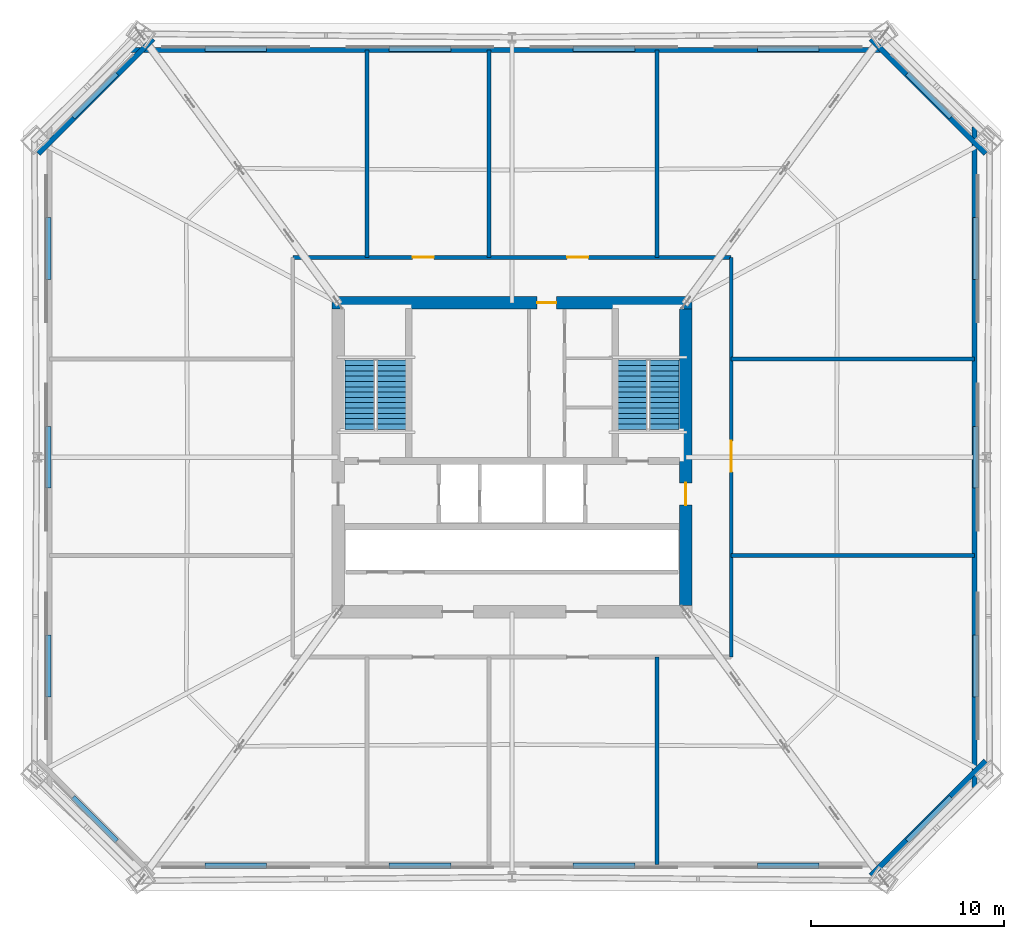
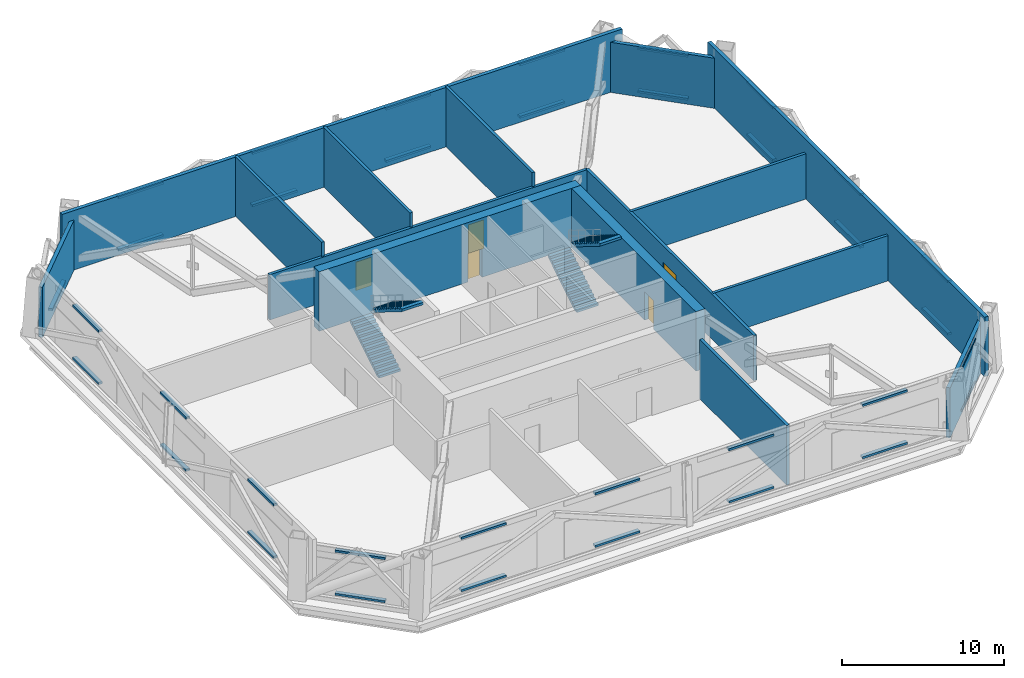
# One storey, part 12 of 14: 36 discrete accessories, 15 walls, 5 doors, 4 stair flights, 5 openings, 2 elements without a shape of their own.
"""IFC4 building model written with IfcOpenShell, lengths in metres."""

from ifc_helpers import new_model, si_unit, direction, frame, frame_2d, origin, origin_2d, place, context, subcontext, project, spatial, polyline, rectangle, outline, extrude, material, layer, layer_set, type_object, element, fill, aggregate, save


model = new_model("IFC4")

# Units and contexts
model_context = context("Model", 3, precision=1e-05, world=origin(), true_north=direction((0.0, 1.0)))
body_context = subcontext(model_context, "Body", "Model", "MODEL_VIEW")
ifc_project = project(units=[si_unit("LENGTHUNIT", "METRE"), si_unit("AREAUNIT", "SQUARE_METRE"), si_unit("VOLUMEUNIT", "CUBIC_METRE"), si_unit("PLANEANGLEUNIT", "RADIAN"), si_unit("MASSUNIT", "GRAM", prefix="KILO")], contexts=[model_context])

# Site, building, storey
site_placement = place(None, origin())
site = spatial("IfcSite", under=ifc_project, at=site_placement, CompositionType="ELEMENT")
building_placement = place(site_placement, origin())
building = spatial("IfcBuilding", under=site, at=building_placement, Name="Caelvoria Tower", CompositionType="ELEMENT")
storey_placement = place(building_placement, frame((0.0, 0.0, 85.60009765625)))
storey = spatial("IfcBuildingStorey", under=building, at=storey_placement, Name="L22", CompositionType="ELEMENT", Elevation=85.60009765625)

# Walls
ifc_material_1 = material(Name="Concrete Block and Fireboard Assembly", Category="concrete")
ifc_layer_1 = layer(ifc_material_1, 0.199951171875, Name="Concrete Block and Fireboard Assembly")
ifc_layer_set_1 = layer_set([ifc_layer_1], Name="Fire-Rated Shaft and Core Partition Wall 200 - Concrete Block and Fireboard Assembly")
wall_type_1 = type_object("IfcWallType", Name="Fire-Rated Shaft and Core Partition Wall 200", PredefinedType="PARTITIONING", material=ifc_layer_set_1)
for number, where, z_axis, x_axis, name in (
    (1, (44.800048828125, 42.35009765625, 0.0), (0.0, 0.0, 1.0), (0.0, 1.0, 0.0), "Interior Partition IW-L22-PLT-NM"),
    (2, (38.5, 42.35009765625, 0.0), (0.0, 0.0, 1.0), (0.0, 1.0, 0.0), "Interior Partition IW-L22-OCH-SWN"),
    (3, (53.5, 10.913330078125, 0.0), (0.0, 0.0, 1.0), (0.0, 1.0, 0.0), "Interior Partition IW-L22-OCH-SES"),
    (4, (53.5, 42.35009765625, 0.0), (0.0, 0.0, 1.0), (0.0, 1.0, 0.0), "Interior Partition IW-L22-OCH-SEN"),
):
    element("IfcWall", number, at=place(storey_placement, frame(where, z_axis=z_axis, x_axis=x_axis)), inside=storey, type_object=wall_type_1, Name=name, PredefinedType="PARTITIONING", context=body_context, shape_type="SweptSolid", body=[
        extrude(rectangle(XDim=10.736572265625, YDim=0.199951171875, at=frame_2d((5.3681640625, 0.0))), origin(), (0.0, 0.0, 1.0), 4.47998046875),
    ])

# Wall, openings, doors
wall_1_placement = place(storey_placement, frame((34.64990234375, 42.35009765625, 0.0), z_axis=(0.0, 0.0, 1.0), x_axis=(1.0, 0.0, 0.0)))
wall_1 = element("IfcWall", 5, at=wall_1_placement, inside=storey, type_object=wall_type_1, Name="Interior Partition IW-L22-CRN", PredefinedType="PARTITIONING", context=body_context, shape_type="SweptSolid", body=[
    extrude(rectangle(XDim=22.7001953125, YDim=0.199951171875, at=frame_2d((11.35009765625, 0.0))), origin(), (0.0, 0.0, 1.0), 3.409912109375),
])
opening_1_placement = place(wall_1_placement, frame((6.199951171875, 0.0, 0.0)))
opening_1 = element("IfcOpeningElement", 6, at=opening_1_placement, cuts=wall_1, Name="Opening ID-01", PredefinedType="OPENING", context=body_context, shape_type="SweptSolid", body=[
    extrude(rectangle(XDim=1.10009765625, YDim=2.14990234375, at=frame_2d((0.550048828125, 1.074951171875))), frame((0.0, 0.10986328125, 0.0), z_axis=(0.0, -1.0, 0.0), x_axis=(1.0, 0.0, 0.0)), (0.0, 0.0, 1.0), 0.219970703125),
])
opening_2_placement = place(wall_1_placement, frame((14.199951171875, 0.0, 0.0)))
opening_2 = element("IfcOpeningElement", 7, at=opening_2_placement, cuts=wall_1, Name="Opening ID-01", PredefinedType="OPENING", context=body_context, shape_type="SweptSolid", body=[
    extrude(rectangle(XDim=1.10009765625, YDim=2.14990234375, at=frame_2d((0.550048828125, 1.074951171875))), frame((0.0, 0.10986328125, 0.0), z_axis=(0.0, -1.0, 0.0), x_axis=(1.0, 0.0, 0.0)), (0.0, 0.0, 1.0), 0.219970703125),
])
ifc_material_2 = material(Name="Painted Hollow Steel Fire Door", Category="steel")
door_type_1 = type_object("IfcDoorType", Name="Fire Door FD90S 1100x2150", OperationType="NOTDEFINED", PredefinedType="DOOR", material=ifc_material_2)
door_1_placement = place(opening_1_placement, origin())
door_1 = element("IfcDoor", 8, at=door_1_placement, inside=storey, type_object=door_type_1, Name="Interior Door DR-L22-PLTN1", OperationType="SINGLE_SWING_RIGHT", OverallHeight=2.14990234375, OverallWidth=1.10009765625, PredefinedType="DOOR", context=body_context, shape_type="SweptSolid", body=[
    extrude(rectangle(XDim=1.10009765625, YDim=2.14990234375, at=frame_2d((0.550048828125, 1.074951171875))), frame((0.0, 0.02490234375, 0.0), z_axis=(0.0, -1.0, 0.0), x_axis=(1.0, 0.0, 0.0)), (0.0, 0.0, 1.0), 0.050048828125),
])
fill(opening_1, door_1)
door_2_placement = place(opening_2_placement, origin())
door_2 = element("IfcDoor", 9, at=door_2_placement, inside=storey, type_object=door_type_1, Name="Interior Door DR-L22-PLTN2", OperationType="SINGLE_SWING_LEFT", OverallHeight=2.14990234375, OverallWidth=1.10009765625, PredefinedType="DOOR", context=body_context, shape_type="SweptSolid", body=[
    extrude(rectangle(XDim=1.10009765625, YDim=2.14990234375, at=frame_2d((0.550048828125, 1.074951171875))), frame((0.0, 0.02490234375, 0.0), z_axis=(0.0, -1.0, 0.0), x_axis=(1.0, 0.0, 0.0)), (0.0, 0.0, 1.0), 0.050048828125),
])
fill(opening_2, door_2)

# Wall, opening, door
wall_2_placement = place(storey_placement, frame((57.35009765625, 21.64990234375, 0.0), z_axis=(0.0, 0.0, 1.0), x_axis=(0.0, 1.0, 0.0)))
wall_2 = element("IfcWall", 10, at=wall_2_placement, inside=storey, type_object=wall_type_1, Name="Interior Partition IW-L22-CRE", PredefinedType="PARTITIONING", context=body_context, shape_type="SweptSolid", body=[
    extrude(rectangle(XDim=20.7001953125, YDim=0.199951171875, at=frame_2d((10.35009765625, 0.0))), origin(), (0.0, 0.0, 1.0), 3.409912109375),
])
opening_3_placement = place(wall_2_placement, frame((9.60009765625, 0.0, 0.0)))
opening_3 = element("IfcOpeningElement", 11, at=opening_3_placement, cuts=wall_2, Name="Opening ID-08", PredefinedType="OPENING", context=body_context, shape_type="SweptSolid", body=[
    extrude(rectangle(XDim=1.60009765625, YDim=2.14990234375, at=frame_2d((0.800048828125, 1.074951171875))), frame((0.0, 0.10986328125, 0.0), z_axis=(0.0, -1.0, 0.0), x_axis=(1.0, 0.0, 0.0)), (0.0, 0.0, 1.0), 0.219970703125),
])
ifc_material_3 = material(Name="Bronze-Framed Fire-Rated Glazed Double Door", Category="aluminium")
door_type_2 = type_object("IfcDoorType", Name="Double Lobby Glazed Door 1600x2200", OperationType="NOTDEFINED", PredefinedType="DOOR", material=ifc_material_3)
door_3_placement = place(opening_3_placement, origin())
door_3 = element("IfcDoor", 12, at=door_3_placement, inside=storey, type_object=door_type_2, Name="Interior Door DR-L22-REFE", OperationType="DOUBLE_DOOR_SINGLE_SWING", OverallHeight=2.14990234375, OverallWidth=1.60009765625, PredefinedType="DOOR", context=body_context, shape_type="SweptSolid", body=[
    extrude(rectangle(XDim=1.60009765625, YDim=2.14990234375, at=frame_2d((0.800048828125, 1.074951171875))), frame((0.0, 0.02490234375, 0.0), z_axis=(0.0, -1.0, 0.0), x_axis=(1.0, 0.0, 0.0)), (0.0, 0.0, 1.0), 0.050048828125),
])
fill(opening_3, door_3)

# Walls
for number, where, z_axis, x_axis, name in (
    (13, (57.35009765625, 26.919921875, 0.0), (0.0, 0.0, 1.0), (1.0, 0.0, 0.0), "Interior Partition IW-L22-RSEP-ES"),
    (14, (57.35009765625, 37.080078125, 0.0), (0.0, 0.0, 1.0), (1.0, 0.0, 0.0), "Interior Partition IW-L22-RSEP-EN"),
):
    element("IfcWall", number, at=place(storey_placement, frame(where, z_axis=z_axis, x_axis=x_axis)), inside=storey, type_object=wall_type_1, Name=name, PredefinedType="PARTITIONING", context=body_context, shape_type="SweptSolid", body=[
        extrude(rectangle(XDim=12.603271484375, YDim=0.199951171875, at=frame_2d((6.3017578125, 0.0))), origin(), (0.0, 0.0, 1.0), 3.409912109375),
    ])

# Wall, opening, door
ifc_material_4 = material(Name="Concrete C60/75", Category="concrete")
ifc_layer_2 = layer(ifc_material_4, 0.64990234375, Name="Concrete C60/75")
ifc_layer_set_2 = layer_set([ifc_layer_2], Name="Lower Core Shear Wall 650 - Concrete C60/75")
wall_type_2 = type_object("IfcWallType", Name="Lower Core Shear Wall 650", PredefinedType="SHEAR", material=ifc_layer_set_2)
wall_3_placement = place(storey_placement, frame((36.675048828125, 40.0, 0.0), z_axis=(0.0, 0.0, 1.0), x_axis=(1.0, 0.0, 0.0)))
wall_3 = element("IfcWall", 15, at=wall_3_placement, inside=storey, type_object=wall_type_2, Name="Core Shear Wall L22 N", PredefinedType="SHEAR", context=body_context, shape_type="SweptSolid", body=[
    extrude(rectangle(XDim=18.64990234375, YDim=0.64990234375, at=frame_2d((9.324951171875, 0.0))), origin(), (0.0, 0.0, 1.0), 4.47998046875),
])
opening_4_placement = place(wall_3_placement, frame((10.625, 0.0, 0.0)))
opening_4 = element("IfcOpeningElement", 16, at=opening_4_placement, cuts=wall_3, Name="Opening ID-03", PredefinedType="OPENING", context=body_context, shape_type="SweptSolid", body=[
    extrude(rectangle(XDim=1.0, YDim=2.14990234375, at=frame_2d((0.5, 1.074951171875))), frame((0.0, 0.3349609375, 0.0), z_axis=(0.0, -1.0, 0.0), x_axis=(1.0, 0.0, 0.0)), (0.0, 0.0, 1.0), 0.669921875),
])
door_type_3 = type_object("IfcDoorType", Name="Fire Door FD60S 1000x2150", OperationType="NOTDEFINED", PredefinedType="DOOR", material=ifc_material_2)
door_4_placement = place(opening_4_placement, origin())
door_4 = element("IfcDoor", 17, at=door_4_placement, inside=storey, type_object=door_type_3, Name="Core Door DR-L22-WC-MAIN", OperationType="SINGLE_SWING_RIGHT", OverallHeight=2.14990234375, OverallWidth=1.0, PredefinedType="DOOR", context=body_context, shape_type="SweptSolid", body=[
    extrude(rectangle(XDim=1.0, YDim=2.14990234375, at=frame_2d((0.5, 1.074951171875))), frame((0.0, 0.02490234375, 0.0), z_axis=(0.0, -1.0, 0.0), x_axis=(1.0, 0.0, 0.0)), (0.0, 0.0, 1.0), 0.050048828125),
])
fill(opening_4, door_4)

wall_4_placement = place(storey_placement, frame((55.0, 24.324951171875, 0.0), z_axis=(0.0, 0.0, 1.0), x_axis=(0.0, 1.0, 0.0)))
wall_4 = element("IfcWall", 18, at=wall_4_placement, inside=storey, type_object=wall_type_2, Name="Core Shear Wall L22 E", PredefinedType="SHEAR", context=body_context, shape_type="SweptSolid", body=[
    extrude(rectangle(XDim=15.35009765625, YDim=0.64990234375, at=frame_2d((7.675048828125, 0.0))), origin(), (0.0, 0.0, 1.0), 4.47998046875),
])
opening_5_placement = place(wall_4_placement, frame((5.199951171875, 0.0, 0.0)))
opening_5 = element("IfcOpeningElement", 19, at=opening_5_placement, cuts=wall_4, Name="Opening ID-02", PredefinedType="OPENING", context=body_context, shape_type="SweptSolid", body=[
    extrude(rectangle(XDim=1.14990234375, YDim=2.14990234375, at=frame_2d((0.574951171875, 1.074951171875))), frame((0.0, 0.3349609375, 0.0), z_axis=(0.0, -1.0, 0.0), x_axis=(1.0, 0.0, 0.0)), (0.0, 0.0, 1.0), 0.669921875),
])
door_type_4 = type_object("IfcDoorType", Name="Fire Door FD60S 1150x2150", OperationType="NOTDEFINED", PredefinedType="DOOR", material=ifc_material_2)
door_5_placement = place(opening_5_placement, origin())
door_5 = element("IfcDoor", 20, at=door_5_placement, inside=storey, type_object=door_type_4, Name="Core Door DR-L22-FFLE-OUT", OperationType="SINGLE_SWING_RIGHT", OverallHeight=2.14990234375, OverallWidth=1.14990234375, PredefinedType="DOOR", context=body_context, shape_type="SweptSolid", body=[
    extrude(rectangle(XDim=1.14990234375, YDim=2.14990234375, at=frame_2d((0.574951171875, 1.074951171875))), frame((0.0, 0.02490234375, 0.0), z_axis=(0.0, -1.0, 0.0), x_axis=(1.0, 0.0, 0.0)), (0.0, 0.0, 1.0), 0.050048828125),
])
fill(opening_5, door_5)

# Walls
ifc_material_5 = material(Name="Precast Concrete C40/50", Category="concrete")
ifc_layer_3 = layer(ifc_material_5, 0.260009765625, Name="Precast Concrete C40/50")
ifc_layer_set_3 = layer_set([ifc_layer_3], Name="Plant Room Acoustic Louvred Facade Wall 260 - Precast Concrete C40/50")
wall_type_3 = type_object("IfcWallType", Name="Plant Room Acoustic Louvred Facade Wall 260", PredefinedType="STANDARD", material=ifc_layer_set_3)
wall_5_placement = place(storey_placement, frame((64.587890625, 10.33935546875, 0.0), z_axis=(0.0, 0.0, 1.0), x_axis=(0.707092247962, 0.707121314113, 0.0)))
element("IfcWall", 21, at=wall_5_placement, inside=storey, type_object=wall_type_3, Name="Exterior Facade Wall L22-E1", PredefinedType="STANDARD", context=body_context, shape_type="SweptSolid", body=[
    extrude(rectangle(XDim=8.3994140625, YDim=0.260009765625, at=frame_2d((4.19970703125, 0.0))), origin(), (0.0, 0.0, 1.0), 3.781982421875),
])
wall_6_placement = place(storey_placement, frame((69.953369140625, 14.893310546875, 0.0), z_axis=(0.0, 0.0, 1.0), x_axis=(0.0, 1.0, 0.0)))
element("IfcWall", 22, at=wall_6_placement, inside=storey, type_object=wall_type_3, Name="Exterior Facade Wall L22-E2", PredefinedType="STANDARD", context=body_context, shape_type="SweptSolid", body=[
    extrude(rectangle(XDim=34.21337890625, YDim=0.260009765625, at=frame_2d((17.106689453125, 0.0))), origin(), (0.0, 0.0, 1.0), 4.47998046875),
])
wall_7_placement = place(storey_placement, frame((70.527099609375, 47.72119140625, 0.0), z_axis=(0.0, 0.0, 1.0), x_axis=(-0.707092247962, 0.707121314113, 0.0)))
element("IfcWall", 23, at=wall_7_placement, inside=storey, type_object=wall_type_3, Name="Exterior Facade Wall L22-E3", PredefinedType="STANDARD", context=body_context, shape_type="SweptSolid", body=[
    extrude(rectangle(XDim=8.3994140625, YDim=0.260009765625, at=frame_2d((4.19970703125, 0.0))), origin(), (0.0, 0.0, 1.0), 3.781982421875),
])
wall_8_placement = place(storey_placement, frame((65.973388671875, 53.086669921875, 0.0), z_axis=(0.0, 0.0, 1.0), x_axis=(-1.0, 0.0, 0.0)))
element("IfcWall", 24, at=wall_8_placement, inside=storey, type_object=wall_type_3, Name="Exterior Facade Wall L22-E4", PredefinedType="STANDARD", context=body_context, shape_type="SweptSolid", body=[
    extrude(rectangle(XDim=39.94677734375, YDim=0.260009765625, at=frame_2d((19.973388671875, 0.0))), origin(), (0.0, 0.0, 1.0), 4.47998046875),
])
wall_9_placement = place(storey_placement, frame((27.412109375, 53.66064453125, 0.0), z_axis=(0.0, 0.0, 1.0), x_axis=(-0.707092247962, -0.707121314113, 0.0)))
element("IfcWall", 25, at=wall_9_placement, inside=storey, type_object=wall_type_3, Name="Exterior Facade Wall L22-E5", PredefinedType="STANDARD", context=body_context, shape_type="SweptSolid", body=[
    extrude(rectangle(XDim=8.3994140625, YDim=0.260009765625, at=frame_2d((4.19970703125, 0.0))), origin(), (0.0, 0.0, 1.0), 3.781982421875),
])

# Stair, stair flights
ifc_material_6 = material(Name="Concrete C40/50", Category="concrete")
stair_type = type_object("IfcStairType", Name="Core Smokeproof Dogleg Stair Concrete C40/50", PredefinedType="HALF_TURN_STAIR", material=ifc_material_6)
stair_1_placement = place(storey_placement, origin())
stair_1 = element("IfcStair", 26, at=stair_1_placement, inside=storey, type_object=stair_type, Name="ST-01 Smokeproof Exit Stair L22", PredefinedType="HALF_TURN_STAIR")
stair_flight_type = type_object("IfcStairFlightType", Name="Precast Concrete C40/50 Stair Flight 1480", PredefinedType="STRAIGHT", material=ifc_material_5)
stair_flight_1_placement = place(storey_placement, frame((38.1298828125, 33.449951171875, 0.0), z_axis=(0.0, 0.0, 1.0), x_axis=(0.0, 1.0, 0.0)))
stair_flight_1 = element("IfcStairFlight", 27, at=stair_flight_1_placement, type_object=stair_flight_type, Name="ST-01 flight 1", NumberOfRisers=14, NumberOfTreads=13, PredefinedType="STRAIGHT", RiserHeight=0.1714, TreadLength=0.275, context=body_context, shape_type="SweptSolid", body=[
    extrude(outline(polyline([(0.0, 0.0), (0.0, 0.17138671875), (0.27490234375, 0.17138671875), (0.27490234375, 0.3427734375), (0.550048828125, 0.3427734375), (0.550048828125, 0.51416015625), (0.824951171875, 0.51416015625), (0.824951171875, 0.685546875), (1.10009765625, 0.685546875), (1.10009765625, 0.85693359375), (1.375, 0.85693359375), (1.375, 1.0283203125), (1.64990234375, 1.0283203125), (1.64990234375, 1.19970703125), (1.925048828125, 1.19970703125), (1.925048828125, 1.37109375), (2.199951171875, 1.37109375), (2.199951171875, 1.54248046875), (2.47509765625, 1.54248046875), (2.47509765625, 1.714111328125), (2.75, 1.714111328125), (2.75, 1.885498046875), (3.02490234375, 1.885498046875), (3.02490234375, 2.056884765625), (3.300048828125, 2.056884765625), (3.300048828125, 2.228271484375), (3.574951171875, 2.228271484375), (3.574951171875, 2.399658203125), (3.574951171875, 2.039794921875), (0.30224609375, 0.0), (0.0, 0.0)])), frame((0.0, 0.77001953125, 0.0), z_axis=(0.0, -1.0, 0.0), x_axis=(1.0, 0.0, 0.0)), (0.0, 0.0, 1.0), 1.5400390625),
])
stair_flight_2_placement = place(storey_placement, frame((39.77001953125, 37.02490234375, 2.39990234375), z_axis=(0.0, 0.0, 1.0), x_axis=(0.0, -1.0, 0.0)))
stair_flight_2 = element("IfcStairFlight", 28, at=stair_flight_2_placement, type_object=stair_flight_type, Name="ST-01 flight 2", NumberOfRisers=14, NumberOfTreads=13, PredefinedType="STRAIGHT", RiserHeight=0.1714, TreadLength=0.275, context=body_context, shape_type="SweptSolid", body=[
    extrude(outline(polyline([(0.0, 0.0), (0.0, 0.17138671875), (0.27490234375, 0.17138671875), (0.27490234375, 0.3427734375), (0.550048828125, 0.3427734375), (0.550048828125, 0.51416015625), (0.824951171875, 0.51416015625), (0.824951171875, 0.685546875), (1.10009765625, 0.685546875), (1.10009765625, 0.85693359375), (1.375, 0.85693359375), (1.375, 1.0283203125), (1.64990234375, 1.0283203125), (1.64990234375, 1.19970703125), (1.925048828125, 1.19970703125), (1.925048828125, 1.37109375), (2.199951171875, 1.37109375), (2.199951171875, 1.54248046875), (2.47509765625, 1.54248046875), (2.47509765625, 1.714111328125), (2.75, 1.714111328125), (2.75, 1.885498046875), (3.02490234375, 1.885498046875), (3.02490234375, 2.056884765625), (3.300048828125, 2.056884765625), (3.300048828125, 2.228271484375), (3.574951171875, 2.228271484375), (3.574951171875, 2.399658203125), (3.574951171875, 2.039794921875), (0.30224609375, 0.0), (0.0, 0.0)])), frame((0.0, 0.77001953125, 0.0), z_axis=(0.0, -1.0, 0.0), x_axis=(1.0, 0.0, 0.0)), (0.0, 0.0, 1.0), 1.5400390625),
])
aggregate(stair_1, [stair_flight_1, stair_flight_2])

stair_2_placement = place(storey_placement, origin())
stair_2 = element("IfcStair", 29, at=stair_2_placement, inside=storey, type_object=stair_type, Name="ST-02 Smokeproof Exit Stair L22", PredefinedType="HALF_TURN_STAIR")
stair_flight_3_placement = place(storey_placement, frame((52.22998046875, 33.449951171875, 0.0), z_axis=(0.0, 0.0, 1.0), x_axis=(0.0, 1.0, 0.0)))
stair_flight_3 = element("IfcStairFlight", 30, at=stair_flight_3_placement, type_object=stair_flight_type, Name="ST-02 flight 1", NumberOfRisers=14, NumberOfTreads=13, PredefinedType="STRAIGHT", RiserHeight=0.1714, TreadLength=0.275, context=body_context, shape_type="SweptSolid", body=[
    extrude(outline(polyline([(0.0, 0.0), (0.0, 0.17138671875), (0.27490234375, 0.17138671875), (0.27490234375, 0.3427734375), (0.550048828125, 0.3427734375), (0.550048828125, 0.51416015625), (0.824951171875, 0.51416015625), (0.824951171875, 0.685546875), (1.10009765625, 0.685546875), (1.10009765625, 0.85693359375), (1.375, 0.85693359375), (1.375, 1.0283203125), (1.64990234375, 1.0283203125), (1.64990234375, 1.19970703125), (1.925048828125, 1.19970703125), (1.925048828125, 1.37109375), (2.199951171875, 1.37109375), (2.199951171875, 1.54248046875), (2.47509765625, 1.54248046875), (2.47509765625, 1.714111328125), (2.75, 1.714111328125), (2.75, 1.885498046875), (3.02490234375, 1.885498046875), (3.02490234375, 2.056884765625), (3.300048828125, 2.056884765625), (3.300048828125, 2.228271484375), (3.574951171875, 2.228271484375), (3.574951171875, 2.399658203125), (3.574951171875, 2.039794921875), (0.30224609375, 0.0), (0.0, 0.0)])), frame((0.0, 0.77001953125, 0.0), z_axis=(0.0, -1.0, 0.0), x_axis=(1.0, 0.0, 0.0)), (0.0, 0.0, 1.0), 1.5400390625),
])
stair_flight_4_placement = place(storey_placement, frame((53.8701171875, 37.02490234375, 2.39990234375), z_axis=(0.0, 0.0, 1.0), x_axis=(0.0, -1.0, 0.0)))
stair_flight_4 = element("IfcStairFlight", 31, at=stair_flight_4_placement, type_object=stair_flight_type, Name="ST-02 flight 2", NumberOfRisers=14, NumberOfTreads=13, PredefinedType="STRAIGHT", RiserHeight=0.1714, TreadLength=0.275, context=body_context, shape_type="SweptSolid", body=[
    extrude(outline(polyline([(0.0, 0.0), (0.0, 0.17138671875), (0.27490234375, 0.17138671875), (0.27490234375, 0.3427734375), (0.550048828125, 0.3427734375), (0.550048828125, 0.51416015625), (0.824951171875, 0.51416015625), (0.824951171875, 0.685546875), (1.10009765625, 0.685546875), (1.10009765625, 0.85693359375), (1.375, 0.85693359375), (1.375, 1.0283203125), (1.64990234375, 1.0283203125), (1.64990234375, 1.19970703125), (1.925048828125, 1.19970703125), (1.925048828125, 1.37109375), (2.199951171875, 1.37109375), (2.199951171875, 1.54248046875), (2.47509765625, 1.54248046875), (2.47509765625, 1.714111328125), (2.75, 1.714111328125), (2.75, 1.885498046875), (3.02490234375, 1.885498046875), (3.02490234375, 2.056884765625), (3.300048828125, 2.056884765625), (3.300048828125, 2.228271484375), (3.574951171875, 2.228271484375), (3.574951171875, 2.399658203125), (3.574951171875, 2.039794921875), (0.30224609375, 0.0), (0.0, 0.0)])), frame((0.0, 0.77001953125, 0.0), z_axis=(0.0, -1.0, 0.0), x_axis=(1.0, 0.0, 0.0)), (0.0, 0.0, 1.0), 1.5400390625),
])
aggregate(stair_2, [stair_flight_3, stair_flight_4])

# Discrete accessories
ifc_material_7 = material(Name="Anodised Bronze Stainless Bracket", Category="bronze")
discrete_accessory_type = type_object("IfcDiscreteAccessoryType", Name="Solar Screen Outrigger Support Bracket", PredefinedType="BRACKET", material=ifc_material_7)
for number, where, z_axis, x_axis, name in (
    (32, (31.695068359375, 10.841796875, 0.23974609375), (0.0, 0.0, 1.0), (1.0, 0.0, 0.0), "Solar Screen Bracket L22-E0-00"),
    (33, (31.695068359375, 10.841796875, 4.18017578125), (0.0, 0.0, 1.0), (1.0, 0.0, 0.0), "Upper Screen Band Bracket L22-E0-00"),
    (34, (41.231689453125, 10.841796875, 0.23974609375), (0.0, 0.0, 1.0), (1.0, 0.0, 0.0), "Solar Screen Bracket L22-E0-01"),
    (35, (41.231689453125, 10.841796875, 4.18017578125), (0.0, 0.0, 1.0), (1.0, 0.0, 0.0), "Upper Screen Band Bracket L22-E0-01"),
    (36, (50.768310546875, 10.841796875, 0.23974609375), (0.0, 0.0, 1.0), (1.0, 0.0, 0.0), "Solar Screen Bracket L22-E0-02"),
    (37, (50.768310546875, 10.841796875, 4.18017578125), (0.0, 0.0, 1.0), (1.0, 0.0, 0.0), "Upper Screen Band Bracket L22-E0-02"),
    (38, (60.304931640625, 10.841796875, 0.23974609375), (0.0, 0.0, 1.0), (1.0, 0.0, 0.0), "Solar Screen Bracket L22-E0-03"),
    (39, (60.304931640625, 10.841796875, 4.18017578125), (0.0, 0.0, 1.0), (1.0, 0.0, 0.0), "Upper Screen Band Bracket L22-E0-03"),
    (40, (67.608154296875, 13.258544921875, 0.23974609375), (0.0, 0.0, 1.0), (0.707106781187, 0.707106781187, 0.0), "Solar Screen Bracket L22-E1-00"),
    (41, (67.608154296875, 13.258544921875, 3.48193359375), (0.0, 0.0, 1.0), (0.707106781187, 0.707106781187, 0.0), "Upper Screen Band Bracket L22-E1-00"),
    (42, (70.02490234375, 21.195556640625, 0.23974609375), (0.0, 0.0, 1.0), (0.0, 1.0, 0.0), "Solar Screen Bracket L22-E2-00"),
    (43, (70.02490234375, 21.195556640625, 4.18017578125), (0.0, 0.0, 1.0), (0.0, 1.0, 0.0), "Upper Screen Band Bracket L22-E2-00"),
    (44, (70.02490234375, 32.0, 0.23974609375), (0.0, 0.0, 1.0), (0.0, 1.0, 0.0), "Solar Screen Bracket L22-E2-01"),
    (45, (70.02490234375, 32.0, 4.18017578125), (0.0, 0.0, 1.0), (0.0, 1.0, 0.0), "Upper Screen Band Bracket L22-E2-01"),
    (46, (70.02490234375, 42.804443359375, 0.23974609375), (0.0, 0.0, 1.0), (0.0, 1.0, 0.0), "Solar Screen Bracket L22-E2-02"),
    (47, (70.02490234375, 42.804443359375, 4.18017578125), (0.0, 0.0, 1.0), (0.0, 1.0, 0.0), "Upper Screen Band Bracket L22-E2-02"),
    (48, (67.608154296875, 50.741455078125, 0.23974609375), (0.0, 0.0, 1.0), (-0.707106781187, 0.707106781187, 0.0), "Solar Screen Bracket L22-E3-00"),
    (49, (67.608154296875, 50.741455078125, 3.48193359375), (0.0, 0.0, 1.0), (-0.707106781187, 0.707106781187, 0.0), "Upper Screen Band Bracket L22-E3-00"),
    (50, (60.304931640625, 53.158203125, 0.23974609375), (0.0, 0.0, 1.0), (-1.0, 0.0, 0.0), "Solar Screen Bracket L22-E4-00"),
    (51, (60.304931640625, 53.158203125, 4.18017578125), (0.0, 0.0, 1.0), (-1.0, 0.0, 0.0), "Upper Screen Band Bracket L22-E4-00"),
    (52, (50.768310546875, 53.158203125, 0.23974609375), (0.0, 0.0, 1.0), (-1.0, 0.0, 0.0), "Solar Screen Bracket L22-E4-01"),
    (53, (50.768310546875, 53.158203125, 4.18017578125), (0.0, 0.0, 1.0), (-1.0, 0.0, 0.0), "Upper Screen Band Bracket L22-E4-01"),
    (54, (41.231689453125, 53.158203125, 0.23974609375), (0.0, 0.0, 1.0), (-1.0, 0.0, 0.0), "Solar Screen Bracket L22-E4-02"),
    (55, (41.231689453125, 53.158203125, 4.18017578125), (0.0, 0.0, 1.0), (-1.0, 0.0, 0.0), "Upper Screen Band Bracket L22-E4-02"),
    (56, (31.695068359375, 53.158203125, 0.23974609375), (0.0, 0.0, 1.0), (-1.0, 0.0, 0.0), "Solar Screen Bracket L22-E4-03"),
    (57, (31.695068359375, 53.158203125, 4.18017578125), (0.0, 0.0, 1.0), (-1.0, 0.0, 0.0), "Upper Screen Band Bracket L22-E4-03"),
    (58, (24.391845703125, 50.741455078125, 0.23974609375), (0.0, 0.0, 1.0), (-0.707106781187, -0.707106781187, 0.0), "Solar Screen Bracket L22-E5-00"),
    (59, (24.391845703125, 50.741455078125, 3.48193359375), (0.0, 0.0, 1.0), (-0.707106781187, -0.707106781187, 0.0), "Upper Screen Band Bracket L22-E5-00"),
    (60, (21.97509765625, 42.804443359375, 0.23974609375), (0.0, 0.0, 1.0), (0.0, -1.0, 0.0), "Solar Screen Bracket L22-E6-00"),
    (61, (21.97509765625, 42.804443359375, 4.18017578125), (0.0, 0.0, 1.0), (0.0, -1.0, 0.0), "Upper Screen Band Bracket L22-E6-00"),
    (62, (21.97509765625, 32.0, 0.23974609375), (0.0, 0.0, 1.0), (0.0, -1.0, 0.0), "Solar Screen Bracket L22-E6-01"),
    (63, (21.97509765625, 32.0, 4.18017578125), (0.0, 0.0, 1.0), (0.0, -1.0, 0.0), "Upper Screen Band Bracket L22-E6-01"),
    (64, (21.97509765625, 21.195556640625, 0.23974609375), (0.0, 0.0, 1.0), (0.0, -1.0, 0.0), "Solar Screen Bracket L22-E6-02"),
    (65, (21.97509765625, 21.195556640625, 4.18017578125), (0.0, 0.0, 1.0), (0.0, -1.0, 0.0), "Upper Screen Band Bracket L22-E6-02"),
    (66, (24.391845703125, 13.258544921875, 0.23974609375), (0.0, 0.0, 1.0), (0.707106781187, -0.707106781187, 0.0), "Solar Screen Bracket L22-E7-00"),
    (67, (24.391845703125, 13.258544921875, 3.48193359375), (0.0, 0.0, 1.0), (0.707106781187, -0.707106781187, 0.0), "Upper Screen Band Bracket L22-E7-00"),
):
    element("IfcDiscreteAccessory", number, at=place(storey_placement, frame(where, z_axis=z_axis, x_axis=x_axis)), inside=storey, type_object=discrete_accessory_type, Name=name, PredefinedType="BRACKET", context=body_context, shape_type="SweptSolid", body=[
        extrude(rectangle(XDim=3.199951171875, YDim=0.280029296875, at=origin_2d()), origin(), (0.0, 0.0, 1.0), 0.159912109375),
    ])

save(model, "model.ifc")
